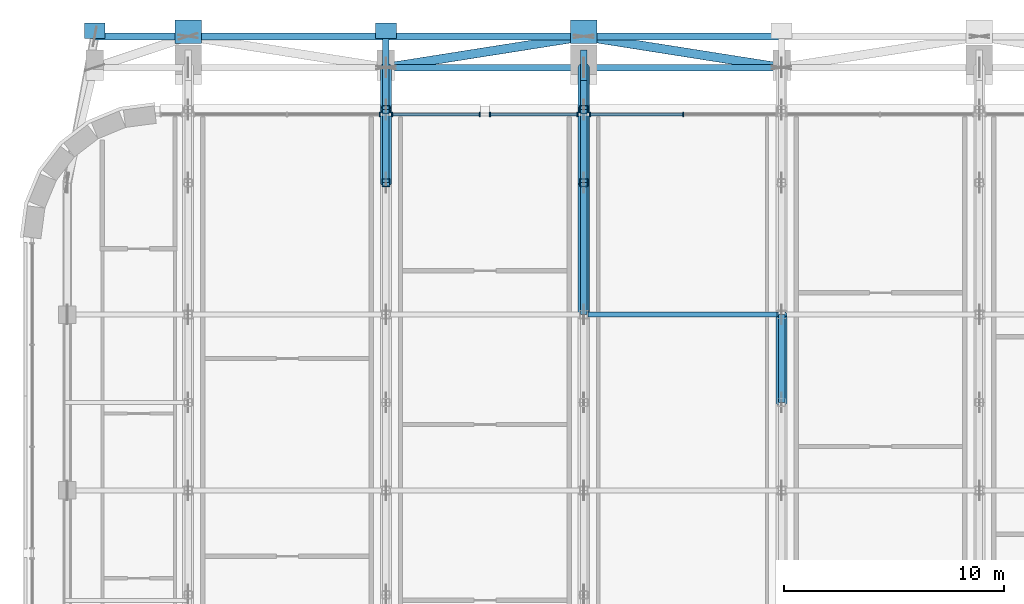
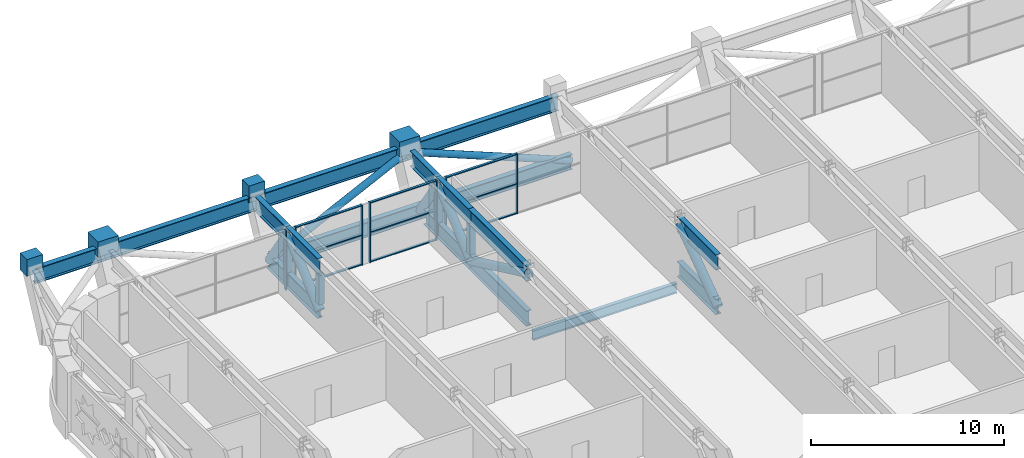
# One storey, part 10 of 28: 46 members, 5 beams, 4 elements without a shape of their own.
"""IFC4 building model written with IfcOpenShell, lengths in metres."""

from ifc_helpers import new_model, si_unit, direction, frame, origin, origin_2d, place, context, subcontext, project, spatial, rectangle, hollow_rectangle, hollow_circle, i_section, extrude, material, material_profile, profile_set, type_object, element, aggregate, save


model = new_model("IFC4")

# Units and contexts
model_context = context("Model", 3, precision=1e-05, world=origin(), true_north=direction((0.0, 1.0)))
body_context = subcontext(model_context, "Body", "Model", "MODEL_VIEW")
ifc_project = project(units=[si_unit("LENGTHUNIT", "METRE"), si_unit("AREAUNIT", "SQUARE_METRE"), si_unit("VOLUMEUNIT", "CUBIC_METRE"), si_unit("PLANEANGLEUNIT", "RADIAN"), si_unit("MASSUNIT", "GRAM", prefix="KILO")], contexts=[model_context])

# Site, building, storey
site_placement = place(None, origin())
site = spatial("IfcSite", under=ifc_project, at=site_placement, CompositionType="ELEMENT")
building_placement = place(site_placement, origin())
building = spatial("IfcBuilding", under=site, at=building_placement, Name="Zellij Exchange Tower", CompositionType="ELEMENT")
storey_placement = place(building_placement, frame((0.0, 0.0, 268.5)))
storey = spatial("IfcBuildingStorey", under=building, at=storey_placement, Name="L63", CompositionType="ELEMENT", Elevation=268.5)

# Curtain wall, members
ifc_material_1 = material(Name="Aluminium frame, clear insulating glass", Category="aluminium")
curtain_wall_type = type_object("IfcCurtainWallType", Name="ENV-CW2 Outrigger-storey glazing", PredefinedType="NOTDEFINED", material=ifc_material_1)
curtain_wall_1_placement = place(storey_placement, origin())
curtain_wall_1 = element("IfcCurtainWall", 1, at=curtain_wall_1_placement, inside=storey, type_object=curtain_wall_type, Name="cw.L63.14c.a", PredefinedType="NOTDEFINED")
ifc_material_2 = material(Name="Aluminium", Category="aluminium")
ifc_material_profile_1 = material_profile(ifc_material_2, rectangle(XDim=0.06005859375, YDim=0.199951171875, at=origin_2d()), Name="AL 60x200")
ifc_profile_set_1 = profile_set([ifc_material_profile_1], Name="Aluminium")
member_type_1 = type_object("IfcMemberType", Name="ENV-CW2M Mullion 60x200", PredefinedType="MULLION", material=ifc_profile_set_1)
member_1_placement = place(storey_placement, frame((-4.47509765625, 31.10009765625, 0.0), z_axis=(0.0, 0.0, 1.0), x_axis=(-1.0, 0.0, 0.0)))
member_1 = element("IfcMember", 2, at=member_1_placement, type_object=member_type_1, Name="CW2 mullion 2", PredefinedType="MULLION", context=body_context, shape_type="SweptSolid", body=[
    extrude(rectangle(XDim=0.06005859375, YDim=0.199951171875, at=origin_2d()), origin(), (0.0, 0.0, 1.0), 3.780029296875),
])
member_2_placement = place(storey_placement, frame((-8.72021484375, 31.10009765625, 0.0), z_axis=(0.0, 0.0, 1.0), x_axis=(-1.0, 0.0, 0.0)))
member_2 = element("IfcMember", 3, at=member_2_placement, type_object=member_type_1, Name="CW2 mullion 3", PredefinedType="MULLION", context=body_context, shape_type="SweptSolid", body=[
    extrude(rectangle(XDim=0.06005859375, YDim=0.199951171875, at=origin_2d()), origin(), (0.0, 0.0, 1.0), 3.780029296875),
])

curtain_wall_2_placement = place(storey_placement, origin())
curtain_wall_2 = element("IfcCurtainWall", 4, at=curtain_wall_2_placement, inside=storey, type_object=curtain_wall_type, Name="cw.L63.14c.b", PredefinedType="NOTDEFINED")
member_3_placement = place(storey_placement, frame((-9.27978515625, 31.10009765625, 0.0), z_axis=(0.0, 0.0, 1.0), x_axis=(-1.0, 0.0, 0.0)))
member_3 = element("IfcMember", 5, at=member_3_placement, type_object=member_type_1, Name="CW2 mullion 1", PredefinedType="MULLION", context=body_context, shape_type="SweptSolid", body=[
    extrude(rectangle(XDim=0.06005859375, YDim=0.199951171875, at=origin_2d()), origin(), (0.0, 0.0, 1.0), 3.780029296875),
])
member_4_placement = place(storey_placement, frame((-13.27001953125, 31.10009765625, 0.0), z_axis=(0.0, 0.0, 1.0), x_axis=(-1.0, 0.0, 0.0)))
member_4 = element("IfcMember", 6, at=member_4_placement, type_object=member_type_1, Name="CW2 mullion 2", PredefinedType="MULLION", context=body_context, shape_type="SweptSolid", body=[
    extrude(rectangle(XDim=0.06005859375, YDim=0.199951171875, at=origin_2d()), origin(), (0.0, 0.0, 1.0), 3.780029296875),
])

curtain_wall_3_placement = place(storey_placement, origin())
curtain_wall_3 = element("IfcCurtainWall", 7, at=curtain_wall_3_placement, inside=storey, type_object=curtain_wall_type, Name="cw.L63.14d.a", PredefinedType="NOTDEFINED")
member_5_placement = place(storey_placement, frame((-13.72998046875, 31.10009765625, 0.0), z_axis=(0.0, 0.0, 1.0), x_axis=(-1.0, 0.0, 0.0)))
member_5 = element("IfcMember", 8, at=member_5_placement, type_object=member_type_1, Name="CW2 mullion 1", PredefinedType="MULLION", context=body_context, shape_type="SweptSolid", body=[
    extrude(rectangle(XDim=0.06005859375, YDim=0.199951171875, at=origin_2d()), origin(), (0.0, 0.0, 1.0), 3.780029296875),
])
member_6_placement = place(storey_placement, frame((-17.72021484375, 31.10009765625, 0.0), z_axis=(0.0, 0.0, 1.0), x_axis=(-1.0, 0.0, 0.0)))
member_6 = element("IfcMember", 9, at=member_6_placement, type_object=member_type_1, Name="CW2 mullion 2", PredefinedType="MULLION", context=body_context, shape_type="SweptSolid", body=[
    extrude(rectangle(XDim=0.06005859375, YDim=0.199951171875, at=origin_2d()), origin(), (0.0, 0.0, 1.0), 3.780029296875),
])

# Curtain wall, member
curtain_wall_4_placement = place(storey_placement, origin())
curtain_wall_4 = element("IfcCurtainWall", 10, at=curtain_wall_4_placement, inside=storey, type_object=curtain_wall_type, Name="cw.L63.14d.b", PredefinedType="NOTDEFINED")
member_7_placement = place(storey_placement, frame((-18.27978515625, 31.10009765625, 0.0), z_axis=(0.0, 0.0, 1.0), x_axis=(-1.0, 0.0, 0.0)))
member_7 = element("IfcMember", 11, at=member_7_placement, type_object=member_type_1, Name="CW2 mullion 1", PredefinedType="MULLION", context=body_context, shape_type="SweptSolid", body=[
    extrude(rectangle(XDim=0.06005859375, YDim=0.199951171875, at=origin_2d()), origin(), (0.0, 0.0, 1.0), 3.780029296875),
])
aggregate(curtain_wall_4, [member_7])

# Member
ifc_material_profile_2 = material_profile(ifc_material_2, rectangle(XDim=0.139892578125, YDim=0.06005859375, at=origin_2d()), Name="AL 140x60")
ifc_profile_set_2 = profile_set([ifc_material_profile_2], Name="Aluminium")
member_type_2 = type_object("IfcMemberType", Name="ENV-CW2T Transom 140x60", PredefinedType="USERDEFINED", material=ifc_profile_set_2)
member_8_placement = place(storey_placement, frame((-4.505126953125, 31.10009765625, 0.030029296875), z_axis=(-1.0, 0.0, 0.0), x_axis=(0.0, -1.0, 0.0)))
member_8 = element("IfcMember", 12, at=member_8_placement, type_object=member_type_2, Name="CW2 transom 2.1", ObjectType="TRANSOM", PredefinedType="USERDEFINED", context=body_context, shape_type="SweptSolid", body=[
    extrude(rectangle(XDim=0.139892578125, YDim=0.06005859375, at=origin_2d()), origin(), (0.0, 0.0, 1.0), 4.18505859375),
])

member_9_placement = place(storey_placement, frame((-4.505126953125, 31.10009765625, 1.889892578125), z_axis=(-1.0, 0.0, 0.0), x_axis=(0.0, -1.0, 0.0)))
member_9 = element("IfcMember", 13, at=member_9_placement, type_object=member_type_2, Name="CW2 transom 2.2", ObjectType="TRANSOM", PredefinedType="USERDEFINED", context=body_context, shape_type="SweptSolid", body=[
    extrude(rectangle(XDim=0.139892578125, YDim=0.06005859375, at=origin_2d()), origin(), (0.0, 0.0, 1.0), 4.18505859375),
])

member_10_placement = place(storey_placement, frame((-4.505126953125, 31.10009765625, 3.75), z_axis=(-1.0, 0.0, 0.0), x_axis=(0.0, -1.0, 0.0)))
member_10 = element("IfcMember", 14, at=member_10_placement, type_object=member_type_2, Name="CW2 transom 2.3", ObjectType="TRANSOM", PredefinedType="USERDEFINED", context=body_context, shape_type="SweptSolid", body=[
    extrude(rectangle(XDim=0.139892578125, YDim=0.06005859375, at=origin_2d()), origin(), (0.0, 0.0, 1.0), 4.18505859375),
])

aggregate(curtain_wall_1, [member_1, member_2, member_8, member_9, member_10])

member_11_placement = place(storey_placement, frame((-9.309814453125, 31.10009765625, 0.030029296875), z_axis=(-1.0, 0.0, 0.0), x_axis=(0.0, -1.0, 0.0)))
member_11 = element("IfcMember", 15, at=member_11_placement, type_object=member_type_2, Name="CW2 transom 1.1", ObjectType="TRANSOM", PredefinedType="USERDEFINED", context=body_context, shape_type="SweptSolid", body=[
    extrude(rectangle(XDim=0.139892578125, YDim=0.06005859375, at=origin_2d()), origin(), (0.0, 0.0, 1.0), 3.93017578125),
])

member_12_placement = place(storey_placement, frame((-9.309814453125, 31.10009765625, 1.889892578125), z_axis=(-1.0, 0.0, 0.0), x_axis=(0.0, -1.0, 0.0)))
member_12 = element("IfcMember", 16, at=member_12_placement, type_object=member_type_2, Name="CW2 transom 1.2", ObjectType="TRANSOM", PredefinedType="USERDEFINED", context=body_context, shape_type="SweptSolid", body=[
    extrude(rectangle(XDim=0.139892578125, YDim=0.06005859375, at=origin_2d()), origin(), (0.0, 0.0, 1.0), 3.93017578125),
])

member_13_placement = place(storey_placement, frame((-9.309814453125, 31.10009765625, 3.75), z_axis=(-1.0, 0.0, 0.0), x_axis=(0.0, -1.0, 0.0)))
member_13 = element("IfcMember", 17, at=member_13_placement, type_object=member_type_2, Name="CW2 transom 1.3", ObjectType="TRANSOM", PredefinedType="USERDEFINED", context=body_context, shape_type="SweptSolid", body=[
    extrude(rectangle(XDim=0.139892578125, YDim=0.06005859375, at=origin_2d()), origin(), (0.0, 0.0, 1.0), 3.93017578125),
])

aggregate(curtain_wall_2, [member_3, member_4, member_11, member_12, member_13])

member_14_placement = place(storey_placement, frame((-13.760009765625, 31.10009765625, 0.030029296875), z_axis=(-1.0, 0.0, 0.0), x_axis=(0.0, -1.0, 0.0)))
member_14 = element("IfcMember", 18, at=member_14_placement, type_object=member_type_2, Name="CW2 transom 1.1", ObjectType="TRANSOM", PredefinedType="USERDEFINED", context=body_context, shape_type="SweptSolid", body=[
    extrude(rectangle(XDim=0.139892578125, YDim=0.06005859375, at=origin_2d()), origin(), (0.0, 0.0, 1.0), 3.93017578125),
])

member_15_placement = place(storey_placement, frame((-13.760009765625, 31.10009765625, 1.889892578125), z_axis=(-1.0, 0.0, 0.0), x_axis=(0.0, -1.0, 0.0)))
member_15 = element("IfcMember", 19, at=member_15_placement, type_object=member_type_2, Name="CW2 transom 1.2", ObjectType="TRANSOM", PredefinedType="USERDEFINED", context=body_context, shape_type="SweptSolid", body=[
    extrude(rectangle(XDim=0.139892578125, YDim=0.06005859375, at=origin_2d()), origin(), (0.0, 0.0, 1.0), 3.93017578125),
])

member_16_placement = place(storey_placement, frame((-13.760009765625, 31.10009765625, 3.75), z_axis=(-1.0, 0.0, 0.0), x_axis=(0.0, -1.0, 0.0)))
member_16 = element("IfcMember", 20, at=member_16_placement, type_object=member_type_2, Name="CW2 transom 1.3", ObjectType="TRANSOM", PredefinedType="USERDEFINED", context=body_context, shape_type="SweptSolid", body=[
    extrude(rectangle(XDim=0.139892578125, YDim=0.06005859375, at=origin_2d()), origin(), (0.0, 0.0, 1.0), 3.93017578125),
])

aggregate(curtain_wall_3, [member_5, member_6, member_14, member_15, member_16])

# Members
ifc_material_3 = material(Name="Structural steel ASTM A992 Gr 50", Category="steel")
ifc_material_profile_3 = material_profile(ifc_material_3, i_section(OverallWidth=0.307373046875, OverallDepth=0.9423828125, WebThickness=0.022216796875, FlangeThickness=0.039794921875, at=origin_2d()), Name="W36x232")
ifc_profile_set_3 = profile_set([ifc_material_profile_3], Name="Structural steel ASTM A992 Gr 50")
member_type_3 = type_object("IfcMemberType", Name="STR-BELT TRUSS CHORD W36x232", PredefinedType="CHORD", material=ifc_profile_set_3)
member_17_placement = place(storey_placement, frame((-31.25, 34.654296875, 3.308837890625), z_axis=(1.0, 0.0, 0.0), x_axis=(0.0, 1.0, 0.0)))
element("IfcMember", 21, at=member_17_placement, inside=storey, type_object=member_type_3, Name="BT1", PredefinedType="CHORD", context=body_context, shape_type="SweptSolid", body=[
    extrude(i_section(OverallWidth=0.307373046875, OverallDepth=0.9423828125, WebThickness=0.022216796875, FlangeThickness=0.039794921875, at=origin_2d()), origin(), (0.0, 0.0, 1.0), 4.25),
])
for number, where, z_axis, x_axis, name in (
    (22, (-27.0, 34.654296875, 3.308837890625), (1.0, 0.0, 0.0), (0.0, 1.0, 0.0), "BT1"),
    (23, (-18.0, 33.235595703125, 0.47119140625), (1.0, 0.0, 0.0), (0.0, 1.0, 0.0), "BT1"),
    (24, (-18.0, 34.654296875, 3.308837890625), (1.0, 0.0, 0.0), (0.0, 1.0, 0.0), "BT1"),
    (25, (-9.0, 33.235595703125, 0.47119140625), (1.0, 0.0, 0.0), (0.0, 1.0, 0.0), "BT1"),
    (26, (-9.0, 34.654296875, 3.308837890625), (1.0, 0.0, 0.0), (0.0, 1.0, 0.0), "BT1"),
):
    element("IfcMember", number, at=place(storey_placement, frame(where, z_axis=z_axis, x_axis=x_axis)), inside=storey, type_object=member_type_3, Name=name, PredefinedType="CHORD", context=body_context, shape_type="SweptSolid", body=[
        extrude(i_section(OverallWidth=0.307373046875, OverallDepth=0.9423828125, WebThickness=0.022216796875, FlangeThickness=0.039794921875, at=origin_2d()), origin(), (0.0, 0.0, 1.0), 9.0),
    ])
ifc_material_4 = material(Name="Structural steel ASTM A500 Gr C", Category="steel")
ifc_material_profile_4 = material_profile(ifc_material_4, hollow_circle(Radius=0.203125, WallThickness=0.01171875, at=origin_2d()), Name="STR-BELT TRUSS DIAGONAL HSS16.000x0.500")
ifc_profile_set_4 = profile_set([ifc_material_profile_4], Name="Structural steel ASTM A500 Gr C")
member_type_4 = type_object("IfcMemberType", Name="STR-BELT TRUSS DIAGONAL HSS16.000x0.500", PredefinedType="BRACE", material=ifc_profile_set_4)
for number, where, z_axis, x_axis, name in (
    (27, (-18.0, 33.235595703125, 0.47119140625), (0.943119840636, 0.148667247014, 0.297360077792), (-0.155710759714, 0.987802692499, 0.0), "BT2"),
    (28, (-9.0, 34.654296875, 3.308837890625), (0.943119840636, -0.148667247014, -0.297360077792), (0.155710759714, 0.987802692499, 0.0), "BT2"),
):
    element("IfcMember", number, at=place(storey_placement, frame(where, z_axis=z_axis, x_axis=x_axis)), inside=storey, type_object=member_type_4, Name=name, PredefinedType="BRACE", context=body_context, shape_type="SweptSolid", body=[
        extrude(hollow_circle(Radius=0.203125, WallThickness=0.01171875, at=origin_2d()), origin(), (0.0, 0.0, 1.0), 9.542724609375),
    ])

# Beams
ifc_material_profile_5 = material_profile(ifc_material_3, i_section(OverallWidth=0.228271484375, OverallDepth=0.607177734375, WebThickness=0.01123046875, FlangeThickness=0.017333984375, at=origin_2d()), Name="W24x76")
ifc_profile_set_5 = profile_set([ifc_material_profile_5], Name="Structural steel ASTM A992 Gr 50")
beam_type_1 = type_object("IfcBeamType", Name="STR-GIRDER W24x76", PredefinedType="BEAM", material=ifc_profile_set_5)
beam_placement = place(storey_placement, frame((-8.800537109375, 22.0, -0.653564453125), z_axis=(1.0, 0.0, 0.0), x_axis=(0.0, 1.0, 0.0)))
element("IfcBeam", 29, at=beam_placement, inside=storey, type_object=beam_type_1, Name="G2", PredefinedType="BEAM", context=body_context, shape_type="SweptSolid", body=[
    extrude(i_section(OverallWidth=0.228271484375, OverallDepth=0.607177734375, WebThickness=0.01123046875, FlangeThickness=0.017333984375, at=origin_2d()), origin(), (0.0, 0.0, 1.0), 8.60107421875),
])
ifc_material_5 = material(Name="Concrete C50/60", Category="concrete")
ifc_material_profile_6 = material_profile(ifc_material_5, rectangle(XDim=1.199951171875, YDim=0.949951171875, at=origin_2d()), Name="STR-KNUCKLE BLOCK RC1200x950 C50/60")
ifc_profile_set_6 = profile_set([ifc_material_profile_6], Name="Concrete C50/60")
beam_type_2 = type_object("IfcBeamType", Name="STR-KNUCKLE BLOCK RC1200x950 C50/60", PredefinedType="BEAM", material=ifc_profile_set_6)
for number, where, z_axis, x_axis, name in (
    (30, (-27.0, 34.3291015625, 3.824951171875), (0.0, 1.0, 0.0), (-1.0, 0.0, 0.0), "KB6"),
    (31, (-9.0, 34.3291015625, 3.824951171875), (0.0, 1.0, 0.0), (-1.0, 0.0, 0.0), "KB6"),
):
    element("IfcBeam", number, at=place(storey_placement, frame(where, z_axis=z_axis, x_axis=x_axis)), inside=storey, type_object=beam_type_2, Name=name, PredefinedType="BEAM", context=body_context, shape_type="SweptSolid", body=[
        extrude(rectangle(XDim=1.199951171875, YDim=0.949951171875, at=origin_2d()), origin(), (0.0, 0.0, 1.0), 1.073486328125),
    ])
ifc_material_profile_7 = material_profile(ifc_material_5, rectangle(XDim=0.949951171875, YDim=1.050048828125, at=origin_2d()), Name="STR-KNUCKLE BLOCK RC950x1050 C50/60")
ifc_profile_set_7 = profile_set([ifc_material_profile_7], Name="Concrete C50/60")
beam_type_3 = type_object("IfcBeamType", Name="STR-KNUCKLE BLOCK RC950x1050 C50/60", PredefinedType="BEAM", material=ifc_profile_set_7)
for number, where, z_axis, x_axis, name in (
    (32, (-31.25, 34.552734375, 3.97509765625), (0.0, 1.0, 0.0), (-1.0, 0.0, 0.0), "KB1"),
    (33, (-18.0, 34.552734375, 3.97509765625), (0.0, 1.0, 0.0), (-1.0, 0.0, 0.0), "KB1"),
):
    element("IfcBeam", number, at=place(storey_placement, frame(where, z_axis=z_axis, x_axis=x_axis)), inside=storey, type_object=beam_type_3, Name=name, PredefinedType="BEAM", context=body_context, shape_type="SweptSolid", body=[
        extrude(rectangle(XDim=0.949951171875, YDim=1.050048828125, at=origin_2d()), origin(), (0.0, 0.0, 1.0), 0.715576171875),
    ])

# Members
ifc_material_6 = material(Name="Structural steel ASTM A913 Gr 65", Category="steel")
ifc_material_profile_8 = material_profile(ifc_material_6, i_section(OverallWidth=0.2998046875, OverallDepth=0.965087890625, WebThickness=0.01904296875, FlangeThickness=0.0361328125, at=origin_2d()), Name="W40x249")
ifc_profile_set_8 = profile_set([ifc_material_profile_8], Name="Structural steel ASTM A913 Gr 65")
member_type_5 = type_object("IfcMemberType", Name="STR-OUTRIGGER TRUSS CHORD W40x249", PredefinedType="CHORD", material=ifc_profile_set_8)
for number, where, z_axis, x_axis, name in (
    (34, (-18.0, 28.0, 3.29736328125), (0.0, 1.0, 0.0), (-1.0, 0.0, 0.0), "OT1"),
    (35, (-18.0, 28.0, 0.482666015625), (0.0, 1.0, 0.0), (-1.0, 0.0, 0.0), "OT1"),
):
    element("IfcMember", number, at=place(storey_placement, frame(where, z_axis=z_axis, x_axis=x_axis)), inside=storey, type_object=member_type_5, Name=name, PredefinedType="CHORD", context=body_context, shape_type="SweptSolid", body=[
        extrude(i_section(OverallWidth=0.2998046875, OverallDepth=0.965087890625, WebThickness=0.01904296875, FlangeThickness=0.0361328125, at=origin_2d()), origin(), (0.0, 0.0, 1.0), 3.323974609375),
    ])
member_18_placement = place(storey_placement, frame((-18.0, 31.323974609375, 3.29736328125), z_axis=(0.0, 1.0, 0.0), x_axis=(-1.0, 0.0, 0.0)))
element("IfcMember", 36, at=member_18_placement, inside=storey, type_object=member_type_5, Name="OT1", PredefinedType="CHORD", context=body_context, shape_type="SweptSolid", body=[
    extrude(i_section(OverallWidth=0.2998046875, OverallDepth=0.965087890625, WebThickness=0.01904296875, FlangeThickness=0.0361328125, at=origin_2d()), origin(), (0.0, 0.0, 1.0), 3.32470703125),
])
member_19_placement = place(storey_placement, frame((-18.0, 31.323974609375, 0.482666015625), z_axis=(0.0, 1.0, 0.0), x_axis=(-1.0, 0.0, 0.0)))
element("IfcMember", 37, at=member_19_placement, inside=storey, type_object=member_type_5, Name="OT1", PredefinedType="CHORD", context=body_context, shape_type="SweptSolid", body=[
    extrude(i_section(OverallWidth=0.2998046875, OverallDepth=0.965087890625, WebThickness=0.01904296875, FlangeThickness=0.0361328125, at=origin_2d()), origin(), (0.0, 0.0, 1.0), 1.917236328125),
])
for number, where, z_axis, x_axis, name in (
    (38, (-9.0, 22.0, 3.29736328125), (0.0, 1.0, 0.0), (-1.0, 0.0, 0.0), "OT1"),
    (39, (-9.0, 22.0, 0.482666015625), (0.0, 1.0, 0.0), (-1.0, 0.0, 0.0), "OT1"),
):
    element("IfcMember", number, at=place(storey_placement, frame(where, z_axis=z_axis, x_axis=x_axis)), inside=storey, type_object=member_type_5, Name=name, PredefinedType="CHORD", context=body_context, shape_type="SweptSolid", body=[
        extrude(i_section(OverallWidth=0.2998046875, OverallDepth=0.965087890625, WebThickness=0.01904296875, FlangeThickness=0.0361328125, at=origin_2d()), origin(), (0.0, 0.0, 1.0), 6.0),
    ])
for number, where, z_axis, x_axis, name in (
    (40, (-9.0, 28.0, 3.29736328125), (0.0, 1.0, 0.0), (-1.0, 0.0, 0.0), "OT1"),
    (41, (-9.0, 28.0, 0.482666015625), (0.0, 1.0, 0.0), (-1.0, 0.0, 0.0), "OT1"),
):
    element("IfcMember", number, at=place(storey_placement, frame(where, z_axis=z_axis, x_axis=x_axis)), inside=storey, type_object=member_type_5, Name=name, PredefinedType="CHORD", context=body_context, shape_type="SweptSolid", body=[
        extrude(i_section(OverallWidth=0.2998046875, OverallDepth=0.965087890625, WebThickness=0.01904296875, FlangeThickness=0.0361328125, at=origin_2d()), origin(), (0.0, 0.0, 1.0), 3.323974609375),
    ])
member_20_placement = place(storey_placement, frame((-9.0, 31.323974609375, 3.29736328125), z_axis=(0.0, 1.0, 0.0), x_axis=(-1.0, 0.0, 0.0)))
element("IfcMember", 42, at=member_20_placement, inside=storey, type_object=member_type_5, Name="OT1", PredefinedType="CHORD", context=body_context, shape_type="SweptSolid", body=[
    extrude(i_section(OverallWidth=0.2998046875, OverallDepth=0.965087890625, WebThickness=0.01904296875, FlangeThickness=0.0361328125, at=origin_2d()), origin(), (0.0, 0.0, 1.0), 2.724609375),
])
member_21_placement = place(storey_placement, frame((-9.0, 31.323974609375, 0.482666015625), z_axis=(0.0, 1.0, 0.0), x_axis=(-1.0, 0.0, 0.0)))
element("IfcMember", 43, at=member_21_placement, inside=storey, type_object=member_type_5, Name="OT1", PredefinedType="CHORD", context=body_context, shape_type="SweptSolid", body=[
    extrude(i_section(OverallWidth=0.2998046875, OverallDepth=0.965087890625, WebThickness=0.01904296875, FlangeThickness=0.0361328125, at=origin_2d()), origin(), (0.0, 0.0, 1.0), 1.3173828125),
])
for number, where, z_axis, x_axis, name in (
    (44, (0.0, 18.0, 3.29736328125), (0.0, 1.0, 0.0), (-1.0, 0.0, 0.0), "OT1"),
    (45, (0.0, 18.0, 0.482666015625), (0.0, 1.0, 0.0), (-1.0, 0.0, 0.0), "OT1"),
):
    element("IfcMember", number, at=place(storey_placement, frame(where, z_axis=z_axis, x_axis=x_axis)), inside=storey, type_object=member_type_5, Name=name, PredefinedType="CHORD", context=body_context, shape_type="SweptSolid", body=[
        extrude(i_section(OverallWidth=0.2998046875, OverallDepth=0.965087890625, WebThickness=0.01904296875, FlangeThickness=0.0361328125, at=origin_2d()), origin(), (0.0, 0.0, 1.0), 4.0),
    ])
ifc_material_profile_9 = material_profile(ifc_material_4, hollow_circle(Radius=0.25390625, WallThickness=0.01171875, at=origin_2d()), Name="STR-OUTRIGGER TRUSS DIAGONAL HSS20.000x0.500")
ifc_profile_set_9 = profile_set([ifc_material_profile_9], Name="Structural steel ASTM A500 Gr C")
member_type_6 = type_object("IfcMemberType", Name="STR-OUTRIGGER TRUSS DIAGONAL HSS20.000x0.500", PredefinedType="BRACE", material=ifc_profile_set_9)
member_22_placement = place(storey_placement, frame((-18.0, 28.0, 0.482666015625), z_axis=(0.0, 0.763148109098, 0.646223617318), x_axis=(-1.0, 0.0, 0.0)))
element("IfcMember", 46, at=member_22_placement, inside=storey, type_object=member_type_6, Name="OT2", PredefinedType="BRACE", context=body_context, shape_type="SweptSolid", body=[
    extrude(hollow_circle(Radius=0.25390625, WallThickness=0.01171875, at=origin_2d()), origin(), (0.0, 0.0, 1.0), 4.355712890625),
])
member_23_placement = place(storey_placement, frame((-18.0, 31.323974609375, 3.29736328125), z_axis=(0.0, 0.562960837411, -0.826483572457), x_axis=(-1.0, 0.0, 0.0)))
element("IfcMember", 47, at=member_23_placement, inside=storey, type_object=member_type_6, Name="OT2", PredefinedType="BRACE", context=body_context, shape_type="SweptSolid", body=[
    extrude(hollow_circle(Radius=0.25390625, WallThickness=0.01171875, at=origin_2d()), origin(), (0.0, 0.0, 1.0), 3.405517578125),
])
member_24_placement = place(storey_placement, frame((-9.0, 22.0, 3.29736328125), z_axis=(0.0, 0.905331480989, -0.424705674004), x_axis=(-1.0, 0.0, 0.0)))
element("IfcMember", 48, at=member_24_placement, inside=storey, type_object=member_type_6, Name="OT2", PredefinedType="BRACE", context=body_context, shape_type="SweptSolid", body=[
    extrude(hollow_circle(Radius=0.25390625, WallThickness=0.01171875, at=origin_2d()), origin(), (0.0, 0.0, 1.0), 6.62744140625),
])
member_25_placement = place(storey_placement, frame((-9.0, 28.0, 0.482666015625), z_axis=(0.0, 0.763148109098, 0.646223617318), x_axis=(-1.0, 0.0, 0.0)))
element("IfcMember", 49, at=member_25_placement, inside=storey, type_object=member_type_6, Name="OT2", PredefinedType="BRACE", context=body_context, shape_type="SweptSolid", body=[
    extrude(hollow_circle(Radius=0.25390625, WallThickness=0.01171875, at=origin_2d()), origin(), (0.0, 0.0, 1.0), 4.355712890625),
])
member_26_placement = place(storey_placement, frame((-9.0, 31.323974609375, 3.29736328125), z_axis=(0.0, 0.562960837411, -0.826483572457), x_axis=(-1.0, 0.0, 0.0)))
element("IfcMember", 50, at=member_26_placement, inside=storey, type_object=member_type_6, Name="OT2", PredefinedType="BRACE", context=body_context, shape_type="SweptSolid", body=[
    extrude(hollow_circle(Radius=0.25390625, WallThickness=0.01171875, at=origin_2d()), origin(), (0.0, 0.0, 1.0), 3.405517578125),
])
member_27_placement = place(storey_placement, frame((0.0, 18.0, 0.482666015625), z_axis=(0.0, 0.8178177303, 0.575477332314), x_axis=(-1.0, 0.0, 0.0)))
element("IfcMember", 51, at=member_27_placement, inside=storey, type_object=member_type_6, Name="OT2", PredefinedType="BRACE", context=body_context, shape_type="SweptSolid", body=[
    extrude(hollow_circle(Radius=0.25390625, WallThickness=0.01171875, at=origin_2d()), origin(), (0.0, 0.0, 1.0), 4.89111328125),
])
ifc_material_profile_10 = material_profile(ifc_material_4, hollow_rectangle(XDim=0.355712890625, YDim=0.355712890625, WallThickness=0.01171875, InnerFilletRadius=0.01171875, OuterFilletRadius=0.023681640625, at=origin_2d()), Name="STR-OUTRIGGER TRUSS POST HSS14x14x1/2")
ifc_profile_set_10 = profile_set([ifc_material_profile_10], Name="Structural steel ASTM A500 Gr C")
member_type_7 = type_object("IfcMemberType", Name="STR-OUTRIGGER TRUSS POST HSS14x14x1/2", PredefinedType="POST", material=ifc_profile_set_10)
for number, where, z_axis, x_axis, name in (
    (52, (-18.0, 28.0, 0.965087890625), (0.0, 0.0, 1.0), (1.0, 0.0, 0.0), "OT3"),
    (53, (-18.0, 31.323974609375, 0.965087890625), (0.0, 0.0, 1.0), (1.0, 0.0, 0.0), "OT3"),
    (54, (-9.0, 28.0, 0.965087890625), (0.0, 0.0, 1.0), (1.0, 0.0, 0.0), "OT3"),
    (55, (-9.0, 31.323974609375, 0.965087890625), (0.0, 0.0, 1.0), (1.0, 0.0, 0.0), "OT3"),
):
    element("IfcMember", number, at=place(storey_placement, frame(where, z_axis=z_axis, x_axis=x_axis)), inside=storey, type_object=member_type_7, Name=name, PredefinedType="POST", context=body_context, shape_type="SweptSolid", body=[
        extrude(hollow_rectangle(XDim=0.355712890625, YDim=0.355712890625, WallThickness=0.01171875, InnerFilletRadius=0.01171875, OuterFilletRadius=0.023681640625, at=origin_2d()), origin(), (0.0, 0.0, 1.0), 1.849609375),
    ])

save(model, "model.ifc")
